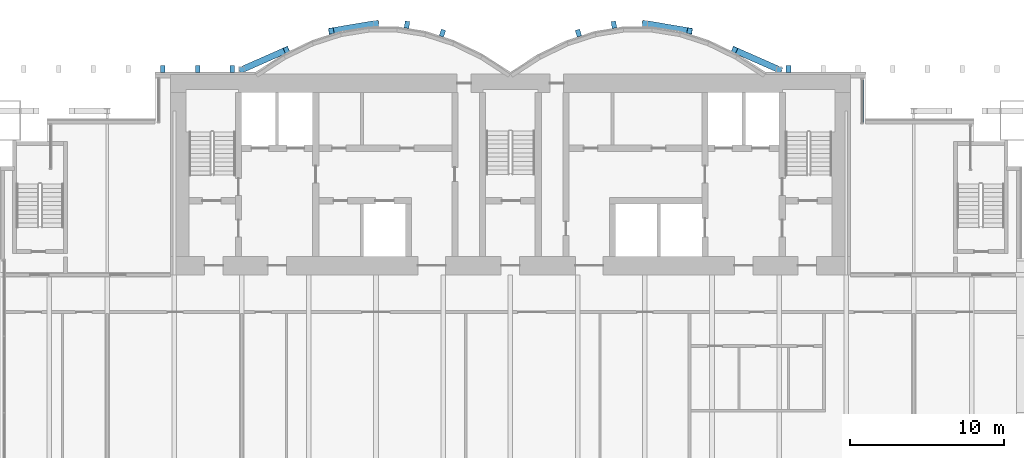
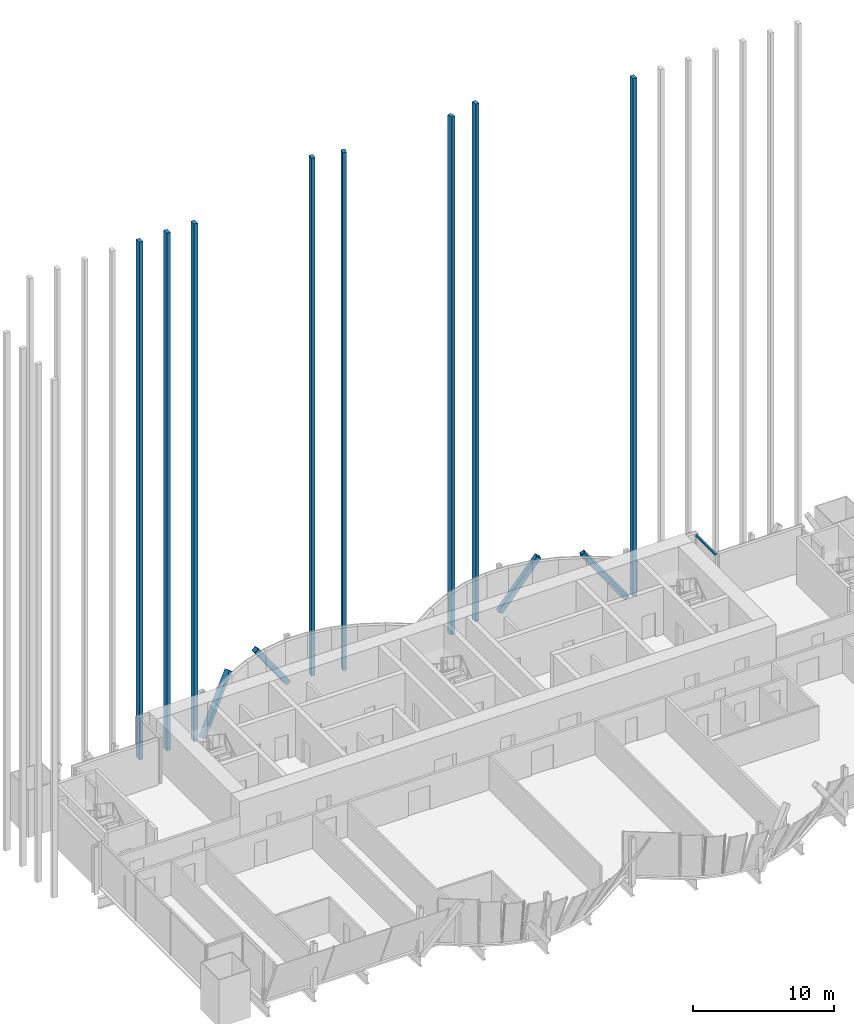
# One storey, part 16 of 29: 13 members, 7 elements without a shape of their own.
"""IFC4 building model written with IfcOpenShell, lengths in metres."""

from ifc_helpers import new_model, si_unit, direction, frame, origin, origin_2d, place, context, subcontext, project, spatial, rectangle, hollow_rectangle, extrude, material, material_profile, profile_set, type_object, element, aggregate, save


model = new_model("IFC4")

# Units and contexts
model_context = context("Model", 3, precision=1e-05, world=origin(), true_north=direction((0.0, 1.0)))
body_context = subcontext(model_context, "Body", "Model", "MODEL_VIEW")
ifc_project = project(units=[si_unit("LENGTHUNIT", "METRE"), si_unit("AREAUNIT", "SQUARE_METRE"), si_unit("VOLUMEUNIT", "CUBIC_METRE"), si_unit("PLANEANGLEUNIT", "RADIAN"), si_unit("MASSUNIT", "GRAM", prefix="KILO")], contexts=[model_context])

# Site, building, storey
site_placement = place(None, origin())
site = spatial("IfcSite", under=ifc_project, at=site_placement, CompositionType="ELEMENT")
building_placement = place(site_placement, origin())
building = spatial("IfcBuilding", under=site, at=building_placement, Name="Bicima Exchange Tower", CompositionType="ELEMENT")
storey_placement = place(building_placement, frame((0.0, 0.0, 190.89990234375)))
storey = spatial("IfcBuildingStorey", under=building, at=storey_placement, Name="L42", CompositionType="ELEMENT", Elevation=190.89990234375)

# Curtain wall, member
ifc_material_1 = material(Name="Anodised bronze aluminium", Category="aluminium")
curtain_wall_type_1 = type_object("IfcCurtainWallType", Name="Front glass wall", PredefinedType="NOTDEFINED", material=ifc_material_1)
curtain_wall_1_placement = place(storey_placement, origin())
curtain_wall_1 = element("IfcCurtainWall", 1, at=curtain_wall_1_placement, inside=storey, type_object=curtain_wall_type_1, Name="Front glass wall L42 run 3", PredefinedType="NOTDEFINED")
ifc_material_profile_1 = material_profile(ifc_material_1, rectangle(XDim=0.159912109375, YDim=0.139892578125, at=origin_2d()))
ifc_profile_set_1 = profile_set([ifc_material_profile_1], Name="Anodised bronze aluminium")
member_type_1 = type_object("IfcMemberType", Name="Front glass wall transom 140 x 160", PredefinedType="USERDEFINED", material=ifc_profile_set_1)
member_1_placement = place(storey_placement, frame((22.77001953125, -3.169921875, 3.880126953125), z_axis=(0.0, 1.0, 0.0), x_axis=(-1.0, 0.0, 0.0)))
member_1 = element("IfcMember", 2, at=member_1_placement, type_object=member_type_1, Name="Front glass wall transom 1.1", ObjectType="TRANSOM", PredefinedType="USERDEFINED", context=body_context, shape_type="SweptSolid", body=[
    extrude(rectangle(XDim=0.159912109375, YDim=0.139892578125, at=origin_2d()), origin(), (0.0, 0.0, 1.0), 2.7998046875),
])
aggregate(curtain_wall_1, [member_1])

# Members
ifc_material_2 = material(Name="Steel ASTM A572 Gr 50", Category="steel")
ifc_material_profile_2 = material_profile(ifc_material_2, hollow_rectangle(XDim=0.406494140625, YDim=0.406494140625, WallThickness=0.0146484375, at=origin_2d()))
ifc_profile_set_2 = profile_set([ifc_material_profile_2], Name="Steel ASTM A572 Gr 50")
member_type_2 = type_object("IfcMemberType", Name="Mega brace HSS16x16x5/8", PredefinedType="BRACE", material=ifc_profile_set_2)
member_2_placement = place(storey_placement, frame((-17.39990234375, 0.278076171875, 0.0), z_axis=(0.559604503225, 0.246634919547, 0.79121047543), x_axis=(-0.403298774981, 0.915068357063, 0.0)))
element("IfcMember", 3, at=member_2_placement, inside=storey, type_object=member_type_2, Name="Mega brace rexo", PredefinedType="BRACE", context=body_context, shape_type="SweptSolid", body=[
    extrude(hollow_rectangle(XDim=0.406494140625, YDim=0.406494140625, WallThickness=0.0146484375, at=origin_2d()), origin(), (0.0, 0.0, 1.0), 5.18212890625),
])
for number, where, z_axis, x_axis, name in (
    (4, (-8.699951171875, 3.26904296875, 0.0), (-0.574791624013, -0.0962905406, 0.812614743132), (0.165220206918, -0.9862567025, 0.0), "Mega brace rexo"),
    (5, (8.699951171875, 3.26904296875, 0.0), (0.574791624013, -0.0962905406, 0.812614743132), (0.165220206918, 0.9862567025, 0.0), "Mega brace rexo"),
):
    element("IfcMember", number, at=place(storey_placement, frame(where, z_axis=z_axis, x_axis=x_axis)), inside=storey, type_object=member_type_2, Name=name, PredefinedType="BRACE", context=body_context, shape_type="SweptSolid", body=[
        extrude(hollow_rectangle(XDim=0.406494140625, YDim=0.406494140625, WallThickness=0.0146484375, at=origin_2d()), origin(), (0.0, 0.0, 1.0), 5.045654296875),
    ])
member_3_placement = place(storey_placement, frame((17.39990234375, 0.278076171875, 0.0), z_axis=(-0.559604503225, 0.246634919547, 0.79121047543), x_axis=(-0.403298774981, -0.915068357063, 0.0)))
element("IfcMember", 6, at=member_3_placement, inside=storey, type_object=member_type_2, Name="Mega brace rexo", PredefinedType="BRACE", context=body_context, shape_type="SweptSolid", body=[
    extrude(hollow_rectangle(XDim=0.406494140625, YDim=0.406494140625, WallThickness=0.0146484375, at=origin_2d()), origin(), (0.0, 0.0, 1.0), 5.18212890625),
])

# Curtain wall, members
curtain_wall_type_2 = type_object("IfcCurtainWallType", Name="Rear blade screen", PredefinedType="NOTDEFINED", material=ifc_material_1)
curtain_wall_2_placement = place(storey_placement, origin())
curtain_wall_2 = element("IfcCurtainWall", 7, at=curtain_wall_2_placement, inside=storey, type_object=curtain_wall_type_2, Name="Rear blade screen L42-L52 W", PredefinedType="NOTDEFINED")
ifc_material_profile_3 = material_profile(ifc_material_1, rectangle(XDim=0.449951171875, YDim=0.300048828125, at=origin_2d()))
ifc_profile_set_3 = profile_set([ifc_material_profile_3], Name="Anodised bronze aluminium")
member_type_3 = type_object("IfcMemberType", Name="Rear blade fin 450 x 300", PredefinedType="USERDEFINED", material=ifc_profile_set_3)
member_4_placement = place(storey_placement, frame((-22.5, 0.324951171875, 0.0), z_axis=(0.0, 0.0, 1.0), x_axis=(0.0, 1.0, 0.0)))
member_4 = element("IfcMember", 8, at=member_4_placement, type_object=member_type_3, Name="Rear blade fin L42-L52 6", ObjectType="FIN", PredefinedType="USERDEFINED", context=body_context, shape_type="SweptSolid", body=[
    extrude(rectangle(XDim=0.449951171875, YDim=0.300048828125, at=origin_2d()), origin(), (0.0, 0.0, 1.0), 44.900146484375),
])
member_5_placement = place(storey_placement, frame((-20.25, 0.324951171875, 0.0), z_axis=(0.0, 0.0, 1.0), x_axis=(0.0, 1.0, 0.0)))
member_5 = element("IfcMember", 9, at=member_5_placement, type_object=member_type_3, Name="Rear blade fin L42-L52 7", ObjectType="FIN", PredefinedType="USERDEFINED", context=body_context, shape_type="SweptSolid", body=[
    extrude(rectangle(XDim=0.449951171875, YDim=0.300048828125, at=origin_2d()), origin(), (0.0, 0.0, 1.0), 44.900146484375),
])
member_6_placement = place(storey_placement, frame((-18.0, 0.324951171875, 0.0), z_axis=(0.0, 0.0, 1.0), x_axis=(0.0, 1.0, 0.0)))
member_6 = element("IfcMember", 10, at=member_6_placement, type_object=member_type_3, Name="Rear blade fin L42-L52 8", ObjectType="FIN", PredefinedType="USERDEFINED", context=body_context, shape_type="SweptSolid", body=[
    extrude(rectangle(XDim=0.449951171875, YDim=0.300048828125, at=origin_2d()), origin(), (0.0, 0.0, 1.0), 44.900146484375),
])
aggregate(curtain_wall_2, [member_4, member_5, member_6])

# Curtain wall, member
curtain_wall_3_placement = place(storey_placement, origin())
curtain_wall_3 = element("IfcCurtainWall", 11, at=curtain_wall_3_placement, inside=storey, type_object=curtain_wall_type_2, Name="Rear blade screen L42-L52 bay", PredefinedType="NOTDEFINED")
member_7_placement = place(storey_placement, frame((-6.697998046875, 3.189697265625, 0.0), z_axis=(0.0, 0.0, 1.0), x_axis=(0.159548663212, 0.987190064814, 0.0)))
member_7 = element("IfcMember", 12, at=member_7_placement, type_object=member_type_3, Name="Rear blade fin L42-L52 9", ObjectType="FIN", PredefinedType="USERDEFINED", context=body_context, shape_type="SweptSolid", body=[
    extrude(rectangle(XDim=0.449951171875, YDim=0.300048828125, at=origin_2d()), origin(), (0.0, 0.0, 1.0), 44.900146484375),
])
aggregate(curtain_wall_3, [member_7])

curtain_wall_4_placement = place(storey_placement, origin())
curtain_wall_4 = element("IfcCurtainWall", 13, at=curtain_wall_4_placement, inside=storey, type_object=curtain_wall_type_2, Name="Rear blade screen L42-L52 bay", PredefinedType="NOTDEFINED")
member_8_placement = place(storey_placement, frame((-4.39990234375, 2.652587890625, 0.0), z_axis=(0.0, 0.0, 1.0), x_axis=(0.307567537632, 0.951526252814, 0.0)))
member_8 = element("IfcMember", 14, at=member_8_placement, type_object=member_type_3, Name="Rear blade fin L42-L52 10", ObjectType="FIN", PredefinedType="USERDEFINED", context=body_context, shape_type="SweptSolid", body=[
    extrude(rectangle(XDim=0.449951171875, YDim=0.300048828125, at=origin_2d()), origin(), (0.0, 0.0, 1.0), 44.900146484375),
])
aggregate(curtain_wall_4, [member_8])

curtain_wall_5_placement = place(storey_placement, origin())
curtain_wall_5 = element("IfcCurtainWall", 15, at=curtain_wall_5_placement, inside=storey, type_object=curtain_wall_type_2, Name="Rear blade screen L42-L52 bay", PredefinedType="NOTDEFINED")
member_9_placement = place(storey_placement, frame((4.39990234375, 2.652587890625, 0.0), z_axis=(0.0, 0.0, 1.0), x_axis=(-0.307567537632, 0.951526252814, 0.0)))
member_9 = element("IfcMember", 16, at=member_9_placement, type_object=member_type_3, Name="Rear blade fin L42-L52 11", ObjectType="FIN", PredefinedType="USERDEFINED", context=body_context, shape_type="SweptSolid", body=[
    extrude(rectangle(XDim=0.449951171875, YDim=0.300048828125, at=origin_2d()), origin(), (0.0, 0.0, 1.0), 44.900146484375),
])
aggregate(curtain_wall_5, [member_9])

curtain_wall_6_placement = place(storey_placement, origin())
curtain_wall_6 = element("IfcCurtainWall", 17, at=curtain_wall_6_placement, inside=storey, type_object=curtain_wall_type_2, Name="Rear blade screen L42-L52 bay", PredefinedType="NOTDEFINED")
member_10_placement = place(storey_placement, frame((6.697998046875, 3.189697265625, 0.0), z_axis=(0.0, 0.0, 1.0), x_axis=(-0.159548663212, 0.987190064814, 0.0)))
member_10 = element("IfcMember", 18, at=member_10_placement, type_object=member_type_3, Name="Rear blade fin L42-L52 12", ObjectType="FIN", PredefinedType="USERDEFINED", context=body_context, shape_type="SweptSolid", body=[
    extrude(rectangle(XDim=0.449951171875, YDim=0.300048828125, at=origin_2d()), origin(), (0.0, 0.0, 1.0), 44.900146484375),
])
aggregate(curtain_wall_6, [member_10])

curtain_wall_7_placement = place(storey_placement, origin())
curtain_wall_7 = element("IfcCurtainWall", 19, at=curtain_wall_7_placement, inside=storey, type_object=curtain_wall_type_2, Name="Rear blade screen L42-L52 E", PredefinedType="NOTDEFINED")
member_11_placement = place(storey_placement, frame((18.0, 0.324951171875, 0.0), z_axis=(0.0, 0.0, 1.0), x_axis=(0.0, 1.0, 0.0)))
member_11 = element("IfcMember", 20, at=member_11_placement, type_object=member_type_3, Name="Rear blade fin L42-L52 13", ObjectType="FIN", PredefinedType="USERDEFINED", context=body_context, shape_type="SweptSolid", body=[
    extrude(rectangle(XDim=0.449951171875, YDim=0.300048828125, at=origin_2d()), origin(), (0.0, 0.0, 1.0), 44.900146484375),
])
aggregate(curtain_wall_7, [member_11])

save(model, "model.ifc")
